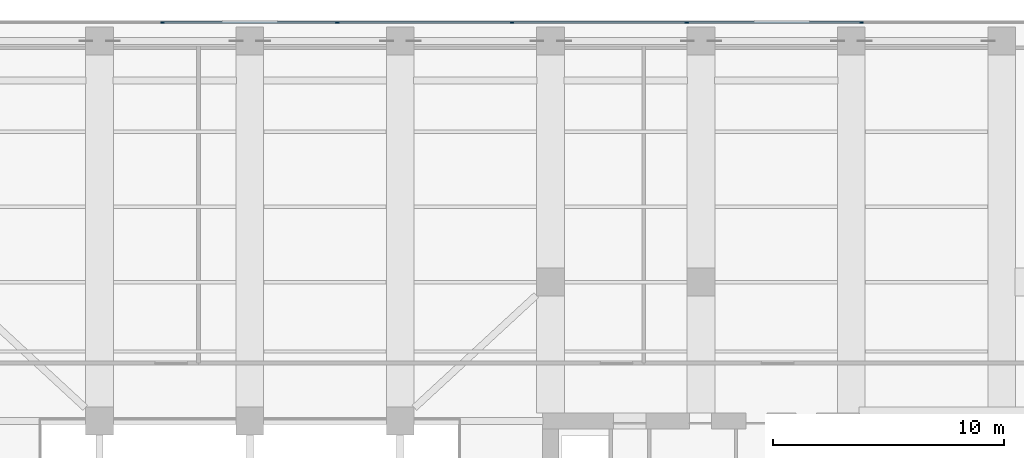
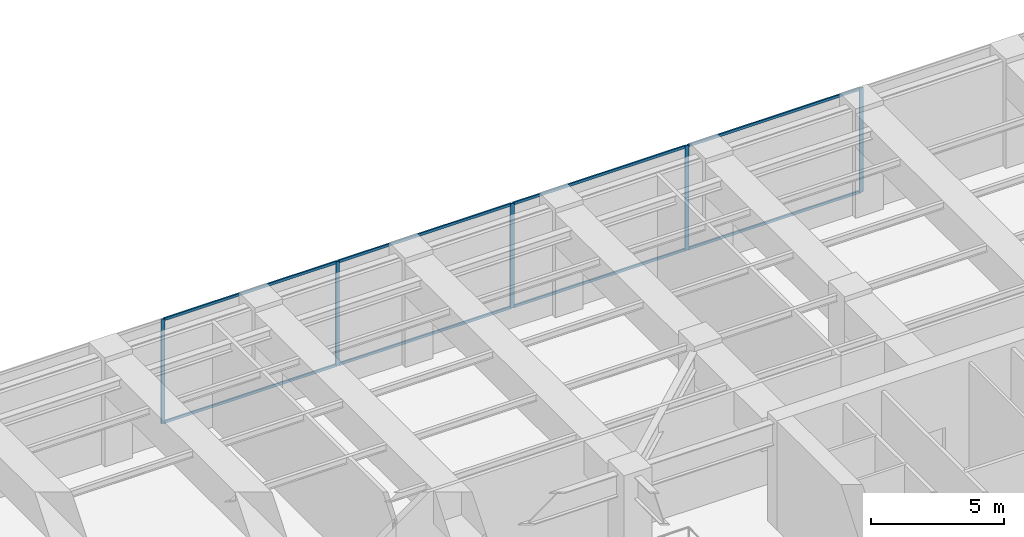
# One storey, part 10 of 28: 13 members, 1 element without a shape of its own.
"""IFC4 building model written with IfcOpenShell, lengths in metres."""

from ifc_helpers import new_model, si_unit, direction, frame, origin, origin_2d, place, context, subcontext, project, spatial, rectangle, extrude, material, layer, layer_set, material_profile, profile_set, type_object, element, aggregate, save


model = new_model("IFC4")

# Units and contexts
model_context = context("Model", 3, precision=1e-05, world=origin(), true_north=direction((0.0, 1.0)))
body_context = subcontext(model_context, "Body", "Model", "MODEL_VIEW")
ifc_project = project(units=[si_unit("LENGTHUNIT", "METRE"), si_unit("AREAUNIT", "SQUARE_METRE"), si_unit("VOLUMEUNIT", "CUBIC_METRE"), si_unit("PLANEANGLEUNIT", "RADIAN"), si_unit("MASSUNIT", "GRAM", prefix="KILO")], contexts=[model_context])

# Site, building, storey
site_placement = place(None, origin())
site = spatial("IfcSite", under=ifc_project, at=site_placement, CompositionType="ELEMENT")
building_placement = place(site_placement, origin())
building = spatial("IfcBuilding", under=site, at=building_placement, Name="Putna Gate Headquarters", CompositionType="ELEMENT")
storey_placement = place(building_placement, frame((0.0, 0.0, 139.199951171875)))
storey = spatial("IfcBuildingStorey", under=building, at=storey_placement, Name="L34", CompositionType="ELEMENT", Elevation=139.199951171875)

# Curtain wall, members
ifc_material_1 = material(Name="Anodised bronze aluminium curtain wall", Category="aluminium")
ifc_layer = layer(ifc_material_1, 0.159912109375)
ifc_layer_set = layer_set([ifc_layer], Name="Anodised bronze aluminium curtain wall")
curtain_wall_type = type_object("IfcCurtainWallType", Name="CW-SYS-CRN", PredefinedType="USERDEFINED", material=ifc_layer_set)
curtain_wall_placement = place(storey_placement, origin())
curtain_wall = element("IfcCurtainWall", 1, at=curtain_wall_placement, inside=storey, type_object=curtain_wall_type, Name="L34 Acoustic Louvre North Enclosure", ObjectType="STICK CURTAIN WALL", PredefinedType="USERDEFINED")
ifc_material_2 = material(Name="Anodised bronze aluminium EN AW-6060", Category="aluminium")
ifc_material_profile_1 = material_profile(ifc_material_2, rectangle(XDim=0.06494140625, YDim=0.159912109375, at=origin_2d()), Name="Anodised bronze aluminium EN AW-6060")
ifc_profile_set_1 = profile_set([ifc_material_profile_1], Name="Anodised bronze aluminium EN AW-6060")
member_type_1 = type_object("IfcMemberType", Name="MULL-CWM-CR", PredefinedType="MULLION", material=ifc_profile_set_1)
member_1_placement = place(storey_placement, frame((35.22216796875, 50.219970703125, 0.0), z_axis=(0.0, 0.0, 1.0), x_axis=(0.0, 1.0, 0.0)))
member_1 = element("IfcMember", 2, at=member_1_placement, type_object=member_type_1, Name="CWS-CR mullion 5", PredefinedType="MULLION", context=body_context, shape_type="SweptSolid", body=[
    extrude(rectangle(XDim=0.06494140625, YDim=0.159912109375, at=origin_2d()), origin(), (0.0, 0.0, 1.0), 4.77197265625),
])
member_2_placement = place(storey_placement, frame((42.77783203125, 50.219970703125, 0.0), z_axis=(0.0, 0.0, 1.0), x_axis=(0.0, 1.0, 0.0)))
member_2 = element("IfcMember", 3, at=member_2_placement, type_object=member_type_1, Name="CWS-CR mullion 6", PredefinedType="MULLION", context=body_context, shape_type="SweptSolid", body=[
    extrude(rectangle(XDim=0.06494140625, YDim=0.159912109375, at=origin_2d()), origin(), (0.0, 0.0, 1.0), 4.77197265625),
])
member_3_placement = place(storey_placement, frame((50.333251953125, 50.219970703125, 0.0), z_axis=(0.0, 0.0, 1.0), x_axis=(0.0, 1.0, 0.0)))
member_3 = element("IfcMember", 4, at=member_3_placement, type_object=member_type_1, Name="CWS-CR mullion 7", PredefinedType="MULLION", context=body_context, shape_type="SweptSolid", body=[
    extrude(rectangle(XDim=0.06494140625, YDim=0.159912109375, at=origin_2d()), origin(), (0.0, 0.0, 1.0), 4.77197265625),
])
member_4_placement = place(storey_placement, frame((57.888916015625, 50.219970703125, 0.0), z_axis=(0.0, 0.0, 1.0), x_axis=(0.0, 1.0, 0.0)))
member_4 = element("IfcMember", 5, at=member_4_placement, type_object=member_type_1, Name="CWS-CR mullion 8", PredefinedType="MULLION", context=body_context, shape_type="SweptSolid", body=[
    extrude(rectangle(XDim=0.06494140625, YDim=0.159912109375, at=origin_2d()), origin(), (0.0, 0.0, 1.0), 4.77197265625),
])
member_5_placement = place(storey_placement, frame((65.4443359375, 50.219970703125, 0.0), z_axis=(0.0, 0.0, 1.0), x_axis=(0.0, 1.0, 0.0)))
member_5 = element("IfcMember", 6, at=member_5_placement, type_object=member_type_1, Name="CWS-CR mullion 9", PredefinedType="MULLION", context=body_context, shape_type="SweptSolid", body=[
    extrude(rectangle(XDim=0.06494140625, YDim=0.159912109375, at=origin_2d()), origin(), (0.0, 0.0, 1.0), 4.77197265625),
])
ifc_material_profile_2 = material_profile(ifc_material_2, rectangle(XDim=0.06494140625, YDim=0.1201171875, at=origin_2d()), Name="Anodised bronze aluminium EN AW-6060")
ifc_profile_set_2 = profile_set([ifc_material_profile_2], Name="Anodised bronze aluminium EN AW-6060")
member_type_2 = type_object("IfcMemberType", Name="TRAN-CWT-CR", PredefinedType="USERDEFINED", material=ifc_profile_set_2)
member_6_placement = place(storey_placement, frame((35.254638671875, 50.219970703125, 0.032470703125), z_axis=(1.0, 0.0, 0.0), x_axis=(0.0, 1.0, 0.0)))
member_6 = element("IfcMember", 7, at=member_6_placement, type_object=member_type_2, Name="CWS-CR transom 5.1", ObjectType="TRANSOM", PredefinedType="USERDEFINED", context=body_context, shape_type="SweptSolid", body=[
    extrude(rectangle(XDim=0.06494140625, YDim=0.1201171875, at=origin_2d()), origin(), (0.0, 0.0, 1.0), 7.49072265625),
])
member_7_placement = place(storey_placement, frame((35.254638671875, 50.219970703125, 4.739501953125), z_axis=(1.0, 0.0, 0.0), x_axis=(0.0, 1.0, 0.0)))
member_7 = element("IfcMember", 8, at=member_7_placement, type_object=member_type_2, Name="CWS-CR transom 5.2", ObjectType="TRANSOM", PredefinedType="USERDEFINED", context=body_context, shape_type="SweptSolid", body=[
    extrude(rectangle(XDim=0.06494140625, YDim=0.1201171875, at=origin_2d()), origin(), (0.0, 0.0, 1.0), 7.49072265625),
])
member_8_placement = place(storey_placement, frame((42.810302734375, 50.219970703125, 0.032470703125), z_axis=(1.0, 0.0, 0.0), x_axis=(0.0, 1.0, 0.0)))
member_8 = element("IfcMember", 9, at=member_8_placement, type_object=member_type_2, Name="CWS-CR transom 6.1", ObjectType="TRANSOM", PredefinedType="USERDEFINED", context=body_context, shape_type="SweptSolid", body=[
    extrude(rectangle(XDim=0.06494140625, YDim=0.1201171875, at=origin_2d()), origin(), (0.0, 0.0, 1.0), 7.490478515625),
])
member_9_placement = place(storey_placement, frame((42.810302734375, 50.219970703125, 4.739501953125), z_axis=(1.0, 0.0, 0.0), x_axis=(0.0, 1.0, 0.0)))
member_9 = element("IfcMember", 10, at=member_9_placement, type_object=member_type_2, Name="CWS-CR transom 6.2", ObjectType="TRANSOM", PredefinedType="USERDEFINED", context=body_context, shape_type="SweptSolid", body=[
    extrude(rectangle(XDim=0.06494140625, YDim=0.1201171875, at=origin_2d()), origin(), (0.0, 0.0, 1.0), 7.490478515625),
])
member_10_placement = place(storey_placement, frame((50.36572265625, 50.219970703125, 0.032470703125), z_axis=(1.0, 0.0, 0.0), x_axis=(0.0, 1.0, 0.0)))
member_10 = element("IfcMember", 11, at=member_10_placement, type_object=member_type_2, Name="CWS-CR transom 7.1", ObjectType="TRANSOM", PredefinedType="USERDEFINED", context=body_context, shape_type="SweptSolid", body=[
    extrude(rectangle(XDim=0.06494140625, YDim=0.1201171875, at=origin_2d()), origin(), (0.0, 0.0, 1.0), 7.49072265625),
])
member_11_placement = place(storey_placement, frame((50.36572265625, 50.219970703125, 4.739501953125), z_axis=(1.0, 0.0, 0.0), x_axis=(0.0, 1.0, 0.0)))
member_11 = element("IfcMember", 12, at=member_11_placement, type_object=member_type_2, Name="CWS-CR transom 7.2", ObjectType="TRANSOM", PredefinedType="USERDEFINED", context=body_context, shape_type="SweptSolid", body=[
    extrude(rectangle(XDim=0.06494140625, YDim=0.1201171875, at=origin_2d()), origin(), (0.0, 0.0, 1.0), 7.49072265625),
])
member_12_placement = place(storey_placement, frame((57.92138671875, 50.219970703125, 0.032470703125), z_axis=(1.0, 0.0, 0.0), x_axis=(0.0, 1.0, 0.0)))
member_12 = element("IfcMember", 13, at=member_12_placement, type_object=member_type_2, Name="CWS-CR transom 8.1", ObjectType="TRANSOM", PredefinedType="USERDEFINED", context=body_context, shape_type="SweptSolid", body=[
    extrude(rectangle(XDim=0.06494140625, YDim=0.1201171875, at=origin_2d()), origin(), (0.0, 0.0, 1.0), 7.490478515625),
])
member_13_placement = place(storey_placement, frame((57.92138671875, 50.219970703125, 4.739501953125), z_axis=(1.0, 0.0, 0.0), x_axis=(0.0, 1.0, 0.0)))
member_13 = element("IfcMember", 14, at=member_13_placement, type_object=member_type_2, Name="CWS-CR transom 8.2", ObjectType="TRANSOM", PredefinedType="USERDEFINED", context=body_context, shape_type="SweptSolid", body=[
    extrude(rectangle(XDim=0.06494140625, YDim=0.1201171875, at=origin_2d()), origin(), (0.0, 0.0, 1.0), 7.490478515625),
])
aggregate(curtain_wall, [member_1, member_2, member_3, member_4, member_5, member_6, member_7, member_8, member_9, member_10, member_11, member_12, member_13])

save(model, "model.ifc")
